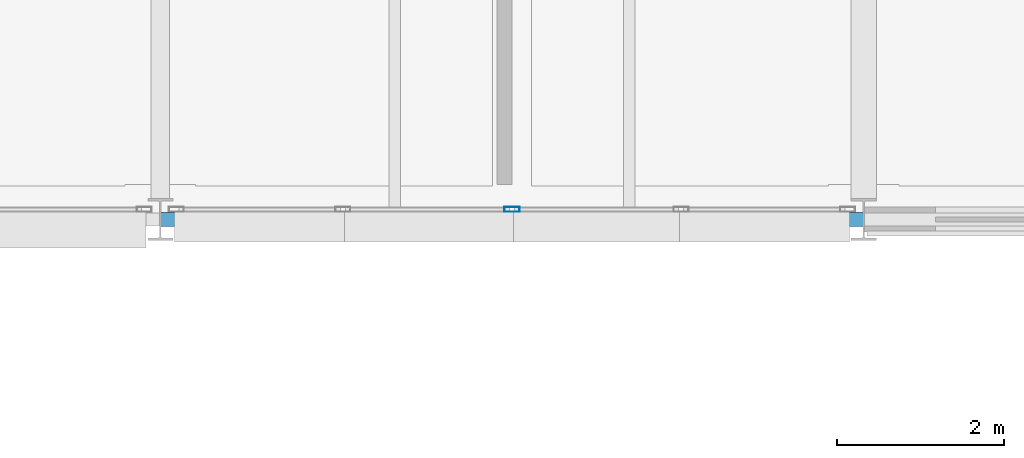
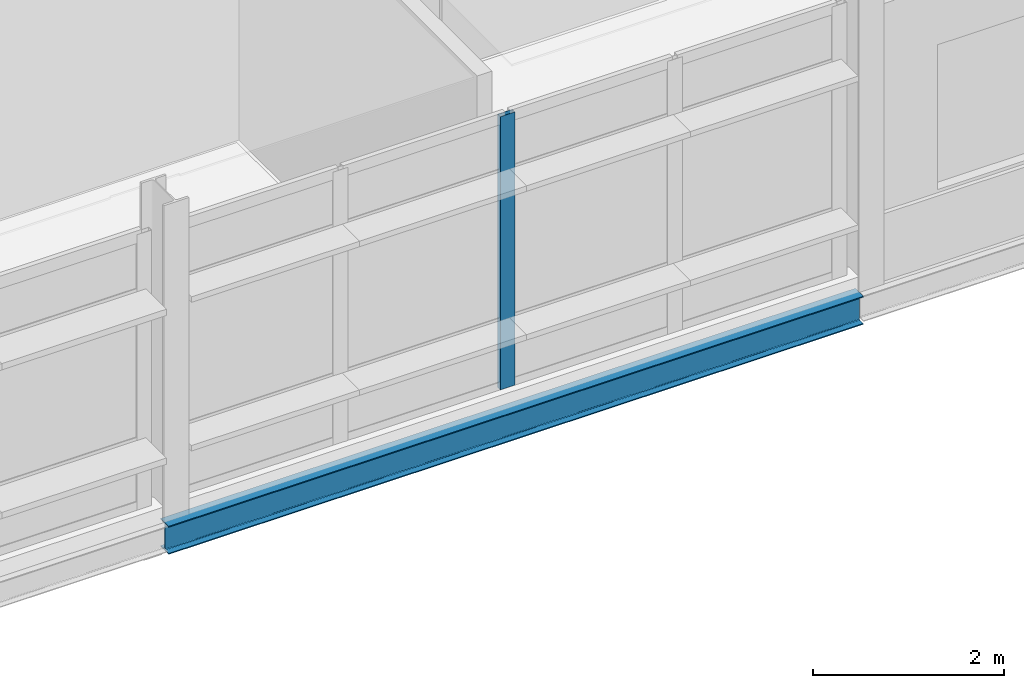
# One storey, part 54 of 151: 1 beam, 1 member, 1 element without a shape of its own.
"""IFC4 building model written with IfcOpenShell, lengths in metres."""

from ifc_helpers import new_model, si_unit, direction, frame, origin, origin_2d, place, context, subcontext, project, spatial, hollow_rectangle, i_section, extrude, material, material_profile, profile_set, type_object, element, aggregate, save


model = new_model("IFC4")

# Units and contexts
model_context = context("Model", 3, precision=1e-05, world=origin(), true_north=direction((0.0, 1.0)))
body_context = subcontext(model_context, "Body", "Model", "MODEL_VIEW")
ifc_project = project(units=[si_unit("LENGTHUNIT", "METRE"), si_unit("AREAUNIT", "SQUARE_METRE"), si_unit("VOLUMEUNIT", "CUBIC_METRE"), si_unit("PLANEANGLEUNIT", "RADIAN"), si_unit("MASSUNIT", "GRAM", prefix="KILO")], contexts=[model_context])

# Site, building, storey
site_placement = place(None, origin())
site = spatial("IfcSite", under=ifc_project, at=site_placement, CompositionType="ELEMENT")
building_placement = place(site_placement, origin())
building = spatial("IfcBuilding", under=site, at=building_placement, Name="Mersafa Astral City Hall", CompositionType="ELEMENT")
storey_placement = place(building_placement, frame((0.0, 0.0, 9.89990234375)))
storey = spatial("IfcBuildingStorey", under=building, at=storey_placement, Name="L02", CompositionType="ELEMENT", Elevation=9.89990234375)

# Curtain wall, member
ifc_material_1 = material(Name="Anodised bronze aluminium framing", Category="aluminium")
curtain_wall_type = type_object("IfcCurtainWallType", Name="ENV-CW-2", PredefinedType="USERDEFINED", material=ifc_material_1)
curtain_wall_placement = place(storey_placement, origin())
curtain_wall = element("IfcCurtainWall", 1, at=curtain_wall_placement, inside=storey, type_object=curtain_wall_type, Name="L02 Unitised solar curtain wall 139", ObjectType="UNITISED CURTAIN WALL", PredefinedType="USERDEFINED")
ifc_material_profile_1 = material_profile(ifc_material_1, hollow_rectangle(XDim=0.06005859375, YDim=0.179931640625, WallThickness=0.00390625, at=origin_2d()), Name="RHS 60x180x4")
ifc_profile_set_1 = profile_set([ifc_material_profile_1], Name="Anodised bronze aluminium framing")
member_type = type_object("IfcMemberType", Name="ENV-CW-MUL-1", PredefinedType="MULLION", material=ifc_profile_set_1)
member_placement = place(storey_placement, frame((71.39990234375, 117.719970703125, -0.001953125), z_axis=(0.0, 0.0, 1.0), x_axis=(0.0, 1.0, 0.0)))
member = element("IfcMember", 2, at=member_placement, type_object=member_type, Name="CW-2 mullion 3", PredefinedType="MULLION", context=body_context, shape_type="SweptSolid", body=[
    extrude(hollow_rectangle(XDim=0.06005859375, YDim=0.179931640625, WallThickness=0.00390625, at=origin_2d()), origin(), (0.0, 0.0, 1.0), 3.489013671875),
])
aggregate(curtain_wall, [member])

# Beam
ifc_material_2 = material(Name="Steel S355", Category="steel")
ifc_material_profile_2 = material_profile(ifc_material_2, i_section(OverallWidth=0.169921875, OverallDepth=0.360107421875, WebThickness=0.008056640625, FlangeThickness=0.0126953125, FilletRadius=0.01806640625, at=origin_2d()), Name="IPE 360")
ifc_profile_set_2 = profile_set([ifc_material_profile_2], Name="Steel S355")
beam_type = type_object("IfcBeamType", Name="STR-BM-SPANDREL-IPE360", PredefinedType="SPANDREL", material=ifc_profile_set_2)
beam_placement = place(storey_placement, frame((67.202880859375, 117.60009765625, -0.3798828125), z_axis=(1.0, 0.0, 0.0), x_axis=(0.0, 1.0, 0.0)))
element("IfcBeam", 3, at=beam_placement, inside=storey, type_object=beam_type, Name="L02 Primary girder X 8-14", PredefinedType="SPANDREL", context=body_context, shape_type="SweptSolid", body=[
    extrude(i_section(OverallWidth=0.169921875, OverallDepth=0.360107421875, WebThickness=0.008056640625, FlangeThickness=0.0126953125, FilletRadius=0.01806640625, at=origin_2d()), origin(), (0.0, 0.0, 1.0), 8.39404296875),
])

save(model, "model.ifc")
